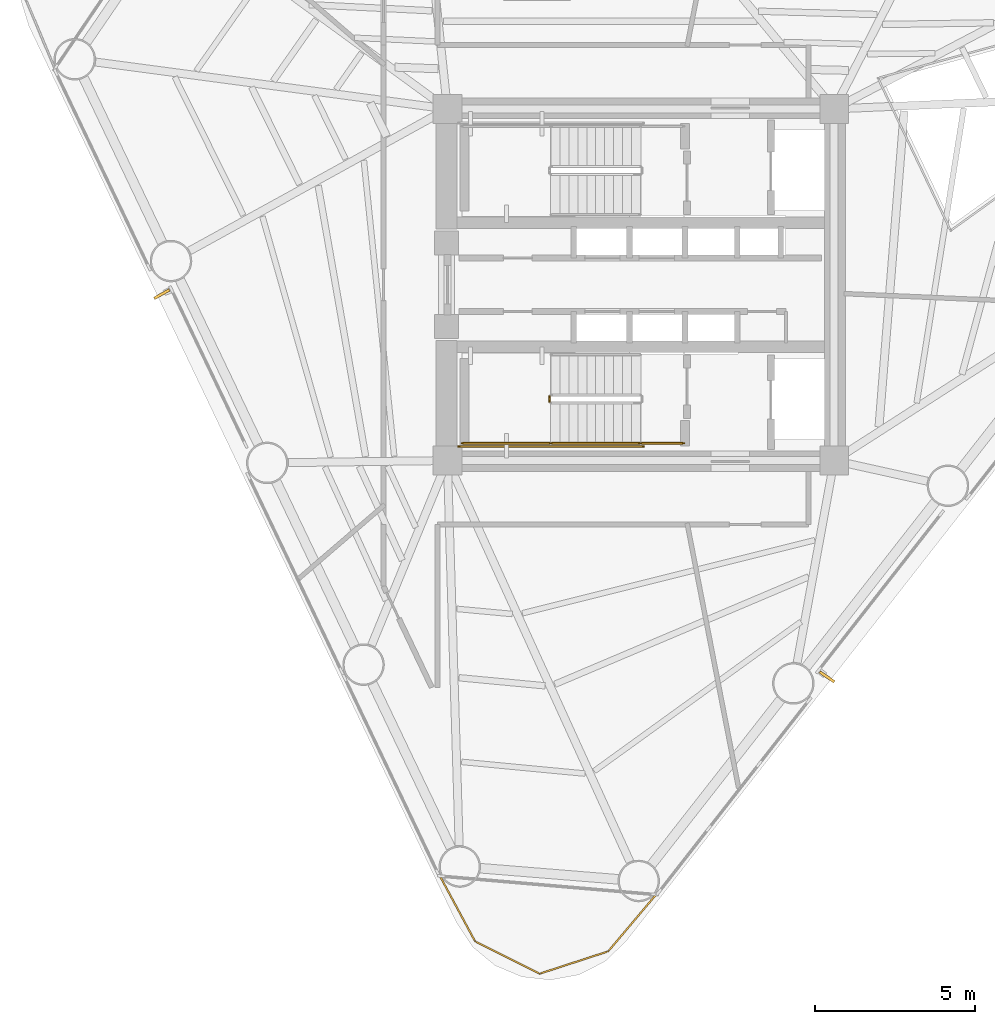
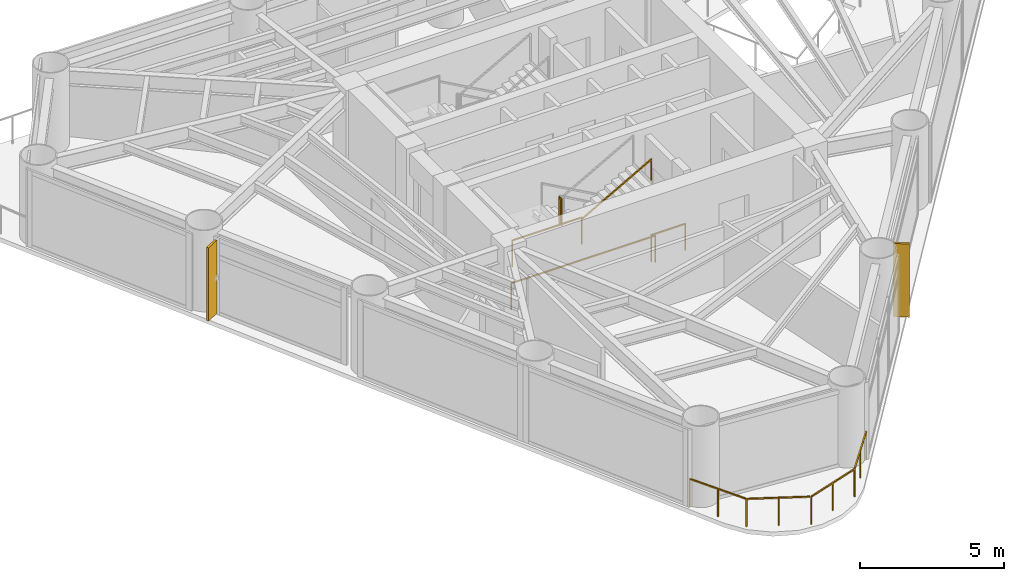
# One storey, part 9 of 11: 6 railings, 2 shading devices.
"""IFC4 building model written with IfcOpenShell, lengths in metres."""

import ifcopenshell
import ifcopenshell.guid

model = None  # the IFC model being written
_history = None  # IfcOwnerHistory: only IFC2X3 demands one
_inside = {}  # id of a spatial element -> (the spatial element, [elements in it])
_under = {}  # id of a project, library or spatial element -> (it, [spatial elements below it])
_declared = {}  # id of a project -> (the project, [libraries it declares])
_typed = {}  # id of a type object -> (the type object, [elements of that type])
_made_of = {}  # id of a material, layer set ... -> (it, [elements and type objects made of it])


def new_model(schema):
    """Start an empty IFC model of exactly this schema.

    Asked for "IFC4X3", IfcOpenShell would pick the latest addendum, in which some entities
    have other attributes; the version numbers below select the first issue.
    IFC2X3 requires an IfcOwnerHistory on every rooted entity: one is made here for all.
    """
    global model, _history
    if schema == "IFC4X3":
        model = ifcopenshell.file(schema_version=(4, 3, 0, 0))
    else:
        model = ifcopenshell.file(schema=schema)
    _inside.clear()
    _under.clear()
    _declared.clear()
    _typed.clear()
    _made_of.clear()
    _history = None
    if model.schema == "IFC2X3":
        org = make("IfcOrganization", Name="unknown")
        user = make(
            "IfcPersonAndOrganization",
            ThePerson=make("IfcPerson", FamilyName="unknown"),
            TheOrganization=org,
        )
        app = make(
            "IfcApplication",
            ApplicationDeveloper=org,
            Version="unknown",
            ApplicationFullName="unknown",
            ApplicationIdentifier="unknown",
        )
        _history = make(
            "IfcOwnerHistory",
            OwningUser=user,
            OwningApplication=app,
            ChangeAction="ADDED",
            CreationDate=0,
        )
    return model


def make(cls, **values):
    """One entity of the class cls with the attributes given. An attribute that is None is left unset."""
    return model.create_entity(
        cls, **{name: value for name, value in values.items() if value is not None}
    )


def rooted(cls, **values):
    """An entity with a GlobalId (a new one), such as an element, a storey or a relation."""
    return make(cls, GlobalId=ifcopenshell.guid.new(), OwnerHistory=_history, **values)


def si_unit(unit_type, name, prefix=None):
    """IfcSIUnit, for example si_unit("LENGTHUNIT", "METRE", prefix="MILLI")."""
    return make("IfcSIUnit", UnitType=unit_type, Prefix=prefix, Name=name)


def assignment(units):
    """IfcUnitAssignment: the units of a project."""
    return None if units is None else make("IfcUnitAssignment", Units=units)


def point(xyz):
    """IfcCartesianPoint."""
    return None if xyz is None else make("IfcCartesianPoint", Coordinates=xyz)


def direction(xyz):
    """IfcDirection."""
    return None if xyz is None else make("IfcDirection", DirectionRatios=xyz)


def frame(location, z_axis=None, x_axis=None):
    """IfcAxis2Placement3D, a coordinate frame: its origin and axes. An axis left out is left unset."""
    return make(
        "IfcAxis2Placement3D",
        Location=point(location),
        Axis=direction(z_axis),
        RefDirection=direction(x_axis),
    )


def frame_2d(location, x_axis=None):
    """IfcAxis2Placement2D, a coordinate frame in the plane: its origin and x axis."""
    return make(
        "IfcAxis2Placement2D", Location=point(location), RefDirection=direction(x_axis)
    )


def origin():
    """The frame at (0, 0, 0) with its axes left unset."""
    return frame((0.0, 0.0, 0.0))


def origin_2d():
    """The frame at (0, 0) in the plane with its x axis left unset."""
    return frame_2d((0.0, 0.0))


def place(relative_to, where):
    """IfcLocalPlacement: puts the frame where relative to a parent placement (None: the world)."""
    return make(
        "IfcLocalPlacement", PlacementRelTo=relative_to, RelativePlacement=where
    )


def context(
    kind, dimensions, precision=None, world=None, true_north=None, identifier=None
):
    """IfcGeometricRepresentationContext, for example the 3D "Model" context."""
    return make(
        "IfcGeometricRepresentationContext",
        ContextIdentifier=identifier,
        ContextType=kind,
        CoordinateSpaceDimension=dimensions,
        Precision=precision,
        WorldCoordinateSystem=world,
        TrueNorth=true_north,
    )


def subcontext(parent, identifier, kind, view, scale=None):
    """IfcGeometricRepresentationSubContext, for example "Body" below "Model"."""
    return make(
        "IfcGeometricRepresentationSubContext",
        ContextIdentifier=identifier,
        ContextType=kind,
        ParentContext=parent,
        TargetScale=scale,
        TargetView=view,
    )


def project(units=None, contexts=None):
    """IfcProject with its units and contexts."""
    return rooted(
        "IfcProject",
        Name="project",
        RepresentationContexts=contexts,
        UnitsInContext=assignment(units),
    )


def spatial(cls, under=None, at=None, **own):
    """A site, building, storey or space (cls), placed at a placement, below another one or the project."""
    s = rooted(cls, ObjectPlacement=at, **own)
    if under is not None:
        _under.setdefault(under.id(), (under, []))[1].append(s)
    return s


def profile(cls, at=None, kind="AREA", **sizes):
    """A parametric profile (cls). Its sizes go by their IFC names, for example OverallWidth=200.0."""
    return make(cls, ProfileType=kind, Position=at, **sizes)


def rectangle(**sizes):
    """IfcRectangleProfileDef."""
    return profile("IfcRectangleProfileDef", **sizes)


def extrude(swept, where, along, depth):
    """IfcExtrudedAreaSolid: the profile swept, set in the frame where, extruded along a direction by depth."""
    return make(
        "IfcExtrudedAreaSolid",
        SweptArea=swept,
        Position=where,
        ExtrudedDirection=direction(along),
        Depth=depth,
    )


def shape(context_of_items, identifier, shape_type, items):
    """IfcShapeRepresentation: the items that make up one representation, for example the "Body"."""
    return make(
        "IfcShapeRepresentation",
        ContextOfItems=context_of_items,
        RepresentationIdentifier=identifier,
        RepresentationType=shape_type,
        Items=items,
    )


def source(mapping_origin, context_of_items, identifier, shape_type, items):
    """IfcRepresentationMap: a shape defined once, which mapped items show again and again."""
    return make(
        "IfcRepresentationMap",
        MappingOrigin=mapping_origin,
        MappedRepresentation=shape(context_of_items, identifier, shape_type, items),
    )


def transform(
    local_origin,
    x_axis=None,
    y_axis=None,
    z_axis=None,
    scale=None,
    scale2=None,
    scale3=None,
    uniform=True,
):
    """IfcCartesianTransformationOperator3D, or its non-uniform kind. x_axis, y_axis, z_axis: its Axis1, 2, 3."""
    if uniform:
        return make(
            "IfcCartesianTransformationOperator3D",
            Axis1=direction(x_axis),
            Axis2=direction(y_axis),
            LocalOrigin=point(local_origin),
            Scale=scale,
            Axis3=direction(z_axis),
        )
    return make(
        "IfcCartesianTransformationOperator3DnonUniform",
        Axis1=direction(x_axis),
        Axis2=direction(y_axis),
        LocalOrigin=point(local_origin),
        Scale=scale,
        Axis3=direction(z_axis),
        Scale2=scale2,
        Scale3=scale3,
    )


def mapped(mapping_source, mapping_target):
    """IfcMappedItem: shows the shape of a source again, moved by a transform."""
    return make(
        "IfcMappedItem", MappingSource=mapping_source, MappingTarget=mapping_target
    )


def material(Name=None, Category=None):
    """IfcMaterial."""
    return make("IfcMaterial", Name=Name, Category=Category)


def material_profile(
    of_material, cross_section, Name=None, Category=None, Priority=None
):
    """IfcMaterialProfile: a cross section and its material."""
    return make(
        "IfcMaterialProfile",
        Name=Name,
        Material=of_material,
        Profile=cross_section,
        Priority=Priority,
        Category=Category,
    )


def profile_set(profiles, Name=None, composite=None):
    """IfcMaterialProfileSet."""
    return make(
        "IfcMaterialProfileSet",
        Name=Name,
        MaterialProfiles=profiles,
        CompositeProfile=composite,
    )


def made_of(thing, what):
    """Note that an element or type object is made of a material, layer set ...; save() writes the relation."""
    if what is not None:
        _made_of.setdefault(what.id(), (what, []))[1].append(thing)
    return thing


def type_object(cls, material=None, **own):
    """A type object (cls), such as IfcWallType, which elements share."""
    return made_of(rooted(cls, **own), material)


def element(
    cls,
    number,
    at=None,
    inside=None,
    cuts=None,
    type_object=None,
    material=None,
    context=None,
    identifier="Body",
    shape_type=None,
    held_by="IfcProductDefinitionShape",
    body=None,
    shapes=None,
    **own,
):
    """One element of the class cls, such as IfcWall. Its Tag is "e" and its number.

    at: its placement. inside: the storey or other place that contains it. cuts: it is an
    opening in that element (IfcRelVoidsElement). A single representation is given by context,
    identifier, shape_type and body (its items); several are given by shapes. held_by: the class
    of the entity that holds the representations. save() writes the other relations.
    """
    e = rooted(cls, Tag="e%d" % number, ObjectPlacement=at, **own)
    if body is not None:
        shapes = [shape(context, identifier, shape_type, body)]
    if shapes is not None:
        e.Representation = make(held_by, Representations=shapes)
    if inside is not None:
        _inside.setdefault(inside.id(), (inside, []))[1].append(e)
    if cuts is not None:
        rooted(
            "IfcRelVoidsElement", RelatingBuildingElement=cuts, RelatedOpeningElement=e
        )
    if type_object is not None:
        _typed.setdefault(type_object.id(), (type_object, []))[1].append(e)
    return made_of(e, material)


def aggregate(whole, parts):
    """IfcRelAggregates: a whole, such as a stair, and the parts it consists of."""
    return rooted("IfcRelAggregates", RelatingObject=whole, RelatedObjects=parts)


def save(model, path):
    """Write the relations noted so far, then the file.

    IfcRelAggregates (storeys below a building ...), IfcRelContainedInSpatialStructure (elements
    in a storey), IfcRelDefinesByType, IfcRelAssociatesMaterial and IfcRelDeclares: one each for
    every whole, place, type object, material and project.
    """
    for whole, parts in _under.values():
        aggregate(whole, parts)
    for where, things in _inside.values():
        rooted(
            "IfcRelContainedInSpatialStructure",
            RelatedElements=things,
            RelatingStructure=where,
        )
    for kind, things in _typed.values():
        rooted("IfcRelDefinesByType", RelatedObjects=things, RelatingType=kind)
    for what, things in _made_of.values():
        rooted("IfcRelAssociatesMaterial", RelatedObjects=things, RelatingMaterial=what)
    for by, libraries in _declared.values():
        rooted("IfcRelDeclares", RelatingContext=by, RelatedDefinitions=libraries)
    model.write(path)


model = new_model("IFC4")

# Units and contexts
model_context = context("Model", 3, precision=1e-05, world=origin(), true_north=direction((0.0, 1.0)))
body_context = subcontext(model_context, "Body", "Model", "MODEL_VIEW")
ifc_project = project(units=[si_unit("LENGTHUNIT", "METRE"), si_unit("AREAUNIT", "SQUARE_METRE"), si_unit("VOLUMEUNIT", "CUBIC_METRE"), si_unit("PLANEANGLEUNIT", "RADIAN"), si_unit("MASSUNIT", "GRAM", prefix="KILO")], contexts=[model_context])

# Site, building, storey
site_placement = place(None, origin())
site = spatial("IfcSite", under=ifc_project, at=site_placement, CompositionType="ELEMENT")
building_placement = place(site_placement, origin())
building = spatial("IfcBuilding", under=site, at=building_placement, Name="Yunling Apex Tower", CompositionType="ELEMENT")
storey_placement = place(building_placement, frame((0.0, 0.0, 150.199951171875)))
storey = spatial("IfcBuildingStorey", under=building, at=storey_placement, Name="L37", CompositionType="ELEMENT", Elevation=150.199951171875)

# Railings
ifc_material_1 = material(Name="Bronze anodised aluminium", Category="aluminium")
railing_type_1 = type_object("IfcRailingType", Name="RL-BAL-1200", PredefinedType="BALUSTRADE", material=ifc_material_1)
railing_1_placement = place(storey_placement, frame((0.4794921875, -19.07958984375, 0.0)))
element("IfcRailing", 1, at=railing_1_placement, inside=storey, type_object=railing_type_1, Name="RL-CRNSILL-L37-3", PredefinedType="BALUSTRADE", context=body_context, shape_type="SweptSolid", body=[
    extrude(rectangle(XDim=0.0439453125, YDim=0.0439453125, at=origin_2d()), origin(), (0.0, 0.0, 1.0), 1.199951171875),
    extrude(rectangle(XDim=0.0439453125, YDim=0.0439453125, at=origin_2d()), frame((-1.49853515625, -1.775390625, 0.0)), (0.0, 0.0, 1.0), 1.199951171875),
    extrude(rectangle(XDim=0.050048828125, YDim=0.050048828125, at=origin_2d()), frame((-0.024658203125, -0.029296875, 1.1748046875), z_axis=(-0.645009043245, -0.764174936865, 0.0), x_axis=(0.764174936865, -0.645009043245, 0.0)), (0.0, 0.0, 1.0), 2.24658203125),
    extrude(rectangle(XDim=0.0439453125, YDim=0.0439453125, at=origin_2d()), frame((-0.749267578125, -0.8876953125, 0.0)), (0.0, 0.0, 1.0), 1.14599609375),
    extrude(rectangle(XDim=0.0439453125, YDim=0.0439453125, at=origin_2d()), frame((-3.640380859375, -2.473876953125, 0.0)), (0.0, 0.0, 1.0), 1.199951171875),
    extrude(rectangle(XDim=0.050048828125, YDim=0.050048828125, at=origin_2d()), frame((-1.534912109375, -1.787353515625, 1.1748046875), z_axis=(-0.950722201045, -0.310044023389, 0.0), x_axis=(0.310044023389, -0.950722201045, 0.0)), (0.0, 0.0, 1.0), 2.17626953125),
    extrude(rectangle(XDim=0.0439453125, YDim=0.0439453125, at=origin_2d()), frame((-2.5693359375, -2.12451171875, 0.0)), (0.0, 0.0, 1.0), 1.14599609375),
    extrude(rectangle(XDim=0.0439453125, YDim=0.0439453125, at=origin_2d()), frame((-5.662841796875, -1.464111328125, 0.0)), (0.0, 0.0, 1.0), 1.199951171875),
    extrude(rectangle(XDim=0.050048828125, YDim=0.050048828125, at=origin_2d()), frame((-3.674560546875, -2.456787109375, 1.1748046875), z_axis=(-0.894686244893, 0.446695112129, 0.0), x_axis=(-0.446695112129, -0.894686244893, 0.0)), (0.0, 0.0, 1.0), 2.183837890625),
    extrude(rectangle(XDim=0.0439453125, YDim=0.0439453125, at=origin_2d()), frame((-4.651611328125, -1.968994140625, 0.0)), (0.0, 0.0, 1.0), 1.14599609375),
    extrude(rectangle(XDim=0.0439453125, YDim=0.0439453125, at=origin_2d()), frame((-6.76416015625, 0.580810546875, 0.0)), (0.0, 0.0, 1.0), 1.199951171875),
    extrude(rectangle(XDim=0.050048828125, YDim=0.050048828125, at=origin_2d()), frame((-5.680908203125, -1.430419921875, 1.1748046875), z_axis=(-0.474168772438, 0.880433969838, 0.0), x_axis=(-0.880433969838, -0.474168772438, 0.0)), (0.0, 0.0, 1.0), 2.245849609375),
    extrude(rectangle(XDim=0.0439453125, YDim=0.0439453125, at=origin_2d()), frame((-6.21337890625, -0.441650390625, 0.0)), (0.0, 0.0, 1.0), 1.14599609375),
])
ifc_material_2 = material(Name="Steel Q355B", Category="steel")
railing_type_2 = type_object("IfcRailingType", Name="RL-GRD-1150", PredefinedType="GUARDRAIL", material=ifc_material_2)
railing_2_placement = place(storey_placement, frame((-2.860107421875, -3.5, 1.72509765625)))
element("IfcRailing", 2, at=railing_2_placement, inside=storey, type_object=railing_type_2, Name="L37 ST-2 stair guard 2", PredefinedType="GUARDRAIL", context=body_context, shape_type="SweptSolid", body=[
    extrude(rectangle(XDim=0.0439453125, YDim=0.0439453125, at=origin_2d()), origin(), (0.0, 0.0, 1.0), 1.14990234375),
    extrude(rectangle(XDim=0.0439453125, YDim=0.0439453125, at=origin_2d()), frame((0.0, -0.14990234375, 0.0)), (0.0, 0.0, 1.0), 1.14990234375),
    extrude(rectangle(XDim=0.050048828125, YDim=0.050048828125, at=origin_2d()), frame((0.0, -0.038330078125, 1.125), z_axis=(0.0, -1.0, 0.0), x_axis=(1.0, 0.0, 0.0)), (0.0, 0.0, 1.0), 0.0732421875),
])
railing_3_placement = place(storey_placement, frame((-2.81005859375, -4.9599609375, 1.72509765625)))
element("IfcRailing", 3, at=railing_3_placement, inside=storey, type_object=railing_type_2, Name="L37 ST-2 stair guard 3", PredefinedType="GUARDRAIL", context=body_context, shape_type="SweptSolid", body=[
    extrude(rectangle(XDim=0.0439453125, YDim=0.0439453125, at=origin_2d()), origin(), (0.0, 0.0, 1.0), 1.14990234375),
    extrude(rectangle(XDim=0.0439453125, YDim=0.0439453125, at=origin_2d()), frame((-2.7900390625, 0.0, 0.0)), (0.0, 0.0, 1.0), 1.14990234375),
    extrude(rectangle(XDim=0.050048828125, YDim=0.050048828125, at=origin_2d()), frame((-0.038330078125, 0.0, 1.125), z_axis=(-1.0, 0.0, 0.0), x_axis=(0.0, -1.0, 0.0)), (0.0, 0.0, 1.0), 2.71337890625),
])
railing_4_placement = place(storey_placement, frame((1.35009765625, -4.9599609375, 0.0)))
element("IfcRailing", 4, at=railing_4_placement, inside=storey, type_object=railing_type_2, Name="L37 ST-2 stair guard 6", PredefinedType="GUARDRAIL", context=body_context, shape_type="SweptSolid", body=[
    extrude(rectangle(XDim=0.0439453125, YDim=0.0439453125, at=origin_2d()), origin(), (0.0, 0.0, 1.0), 1.14990234375),
    extrude(rectangle(XDim=0.0439453125, YDim=0.0439453125, at=origin_2d()), frame((-1.360107421875, 0.0, 0.0)), (0.0, 0.0, 1.0), 1.14990234375),
    extrude(rectangle(XDim=0.050048828125, YDim=0.050048828125, at=origin_2d()), frame((-0.038330078125, 0.0, 1.125), z_axis=(-1.0, 0.0, 0.0), x_axis=(0.0, -1.0, 0.0)), (0.0, 0.0, 1.0), 1.283447265625),
])
railing_5_placement = place(storey_placement, frame((0.090087890625, -5.06005859375, 0.0)))
element("IfcRailing", 5, at=railing_5_placement, inside=storey, type_object=railing_type_2, Name="L37 ST-2 stair guard 7", PredefinedType="GUARDRAIL", context=body_context, shape_type="SweptSolid", body=[
    extrude(rectangle(XDim=0.0439453125, YDim=0.0439453125, at=origin_2d()), origin(), (0.0, 0.0, 1.0), 1.14990234375),
    extrude(rectangle(XDim=0.0439453125, YDim=0.0439453125, at=origin_2d()), frame((-5.7900390625, 0.0, 0.0)), (0.0, 0.0, 1.0), 1.14990234375),
    extrude(rectangle(XDim=0.050048828125, YDim=0.050048828125, at=origin_2d()), frame((-0.038330078125, 0.0, 1.125), z_axis=(-1.0, 0.0, 0.0), x_axis=(0.0, -1.0, 0.0)), (0.0, 0.0, 1.0), 5.71337890625),
])
ifc_material_3 = material(Name="Silver anodised aluminium", Category="aluminium")
railing_type_3 = type_object("IfcRailingType", Name="RL-HND-900", PredefinedType="HANDRAIL", material=ifc_material_3)
railing_6_placement = place(storey_placement, frame((-2.81005859375, -4.9599609375, 1.8818359375)))
element("IfcRailing", 6, at=railing_6_placement, inside=storey, type_object=railing_type_3, Name="L37 ST-2 stair handrail 2", PredefinedType="HANDRAIL", context=body_context, shape_type="SweptSolid", body=[
    extrude(rectangle(XDim=0.0439453125, YDim=0.0439453125, at=origin_2d()), origin(), (0.0, 0.0, 1.0), 0.919921875),
    extrude(rectangle(XDim=0.0439453125, YDim=0.0439453125, at=origin_2d()), frame((2.800048828125, 0.0, 1.568115234375)), (0.0, 0.0, 1.0), 0.919921875),
    extrude(rectangle(XDim=0.050048828125, YDim=0.050048828125, at=origin_2d()), frame((0.033447265625, 0.0, 0.91357421875), z_axis=(0.872494340497, 0.0, 0.48862421737), x_axis=(0.0, 1.0, 0.0)), (0.0, 0.0, 1.0), 3.132568359375),
])

# Shading devices
ifc_material_profile = material_profile(ifc_material_1, rectangle(XDim=0.0849609375, YDim=0.550048828125, at=origin_2d()))
ifc_profile_set = profile_set([ifc_material_profile], Name="Bronze anodised aluminium")
shading_device_type = type_object("IfcShadingDeviceType", Name="FN-BRZ-3", PredefinedType="USERDEFINED", material=ifc_profile_set)
shared_shape = source(origin(), body_context, "Body", "SweptSolid", [
    extrude(rectangle(XDim=0.0849609375, YDim=0.550048828125, at=origin_2d()), origin(), (0.0, 0.0, 1.0), 3.110107421875),
])
for number, where, z_axis, x_axis, name in (
    (7, (5.82763671875, -12.268310546875, 0.06005859375), (0.0, 0.0, 1.0), (0.563381859003, 0.826196635763, 0.0), "CW-L37-F1-B2-FIN-01"),
    (8, (-14.984375, -0.2939453125, 0.06005859375), (0.0, 0.0, 1.0), (0.488621241497, -0.872496007073, 0.0), "CW-L37-F3-B2-FIN-01"),
):
    element("IfcShadingDevice", number, at=place(storey_placement, frame(where, z_axis=z_axis, x_axis=x_axis)), inside=storey, type_object=shading_device_type, Name=name, ObjectType="FIN", PredefinedType="USERDEFINED", context=body_context, shape_type="MappedRepresentation", body=[
        mapped(shared_shape, transform((0.0, 0.0, 0.0), scale=1.0)),
    ])

save(model, "model.ifc")
